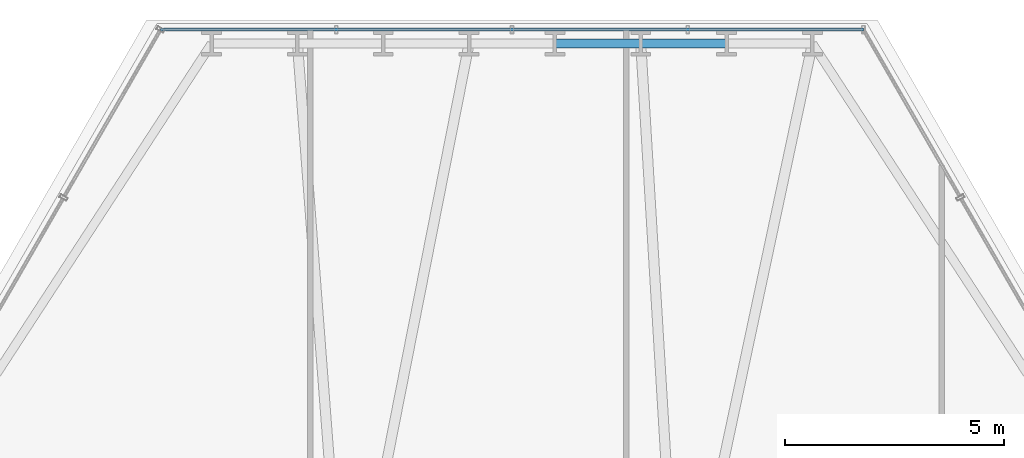
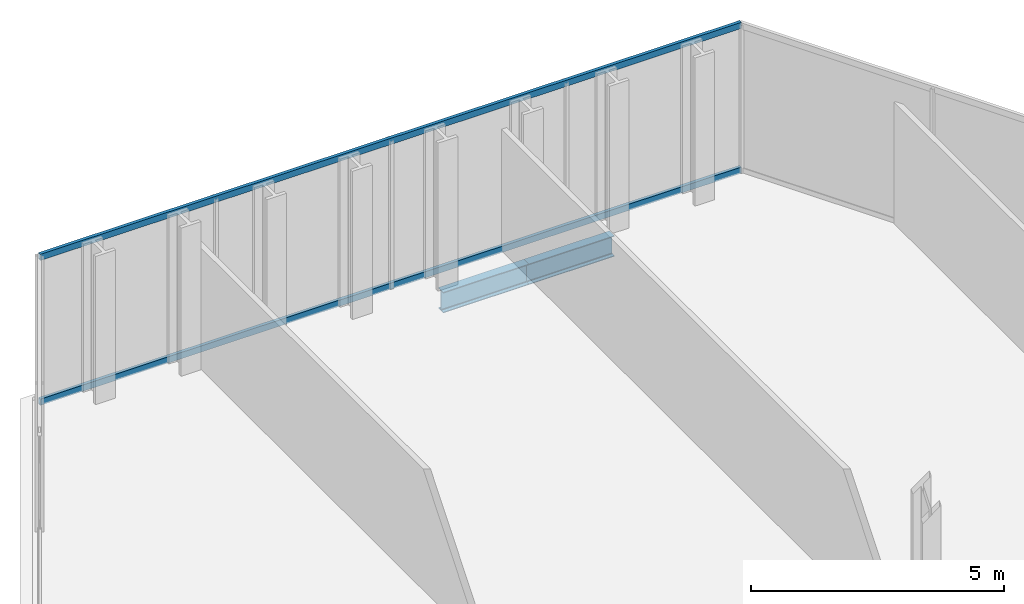
# One storey, part 23 of 32: 2 beams, 2 members, 1 element without a shape of its own.
"""IFC4 building model written with IfcOpenShell, lengths in metres."""

from ifc_helpers import new_model, si_unit, direction, frame, origin, origin_2d, place, context, subcontext, project, spatial, hollow_rectangle, i_section, extrude, material, layer, layer_set, material_profile, profile_set, type_object, element, aggregate, save


model = new_model("IFC4")

# Units and contexts
model_context = context("Model", 3, precision=1e-05, world=origin(), true_north=direction((0.0, 1.0)))
body_context = subcontext(model_context, "Body", "Model", "MODEL_VIEW")
ifc_project = project(units=[si_unit("LENGTHUNIT", "METRE"), si_unit("AREAUNIT", "SQUARE_METRE"), si_unit("VOLUMEUNIT", "CUBIC_METRE"), si_unit("PLANEANGLEUNIT", "RADIAN"), si_unit("MASSUNIT", "GRAM", prefix="KILO")], contexts=[model_context])

# Site, building, storey
site_placement = place(None, origin())
site = spatial("IfcSite", under=ifc_project, at=site_placement, CompositionType="ELEMENT")
building_placement = place(site_placement, origin())
building = spatial("IfcBuilding", under=site, at=building_placement, Name="Ndaravel Arena Tower", CompositionType="ELEMENT")
storey_placement = place(building_placement, frame((0.0, 0.0, 47.39990234375)))
storey = spatial("IfcBuildingStorey", under=building, at=storey_placement, Name="L09", CompositionType="ELEMENT", Elevation=47.39990234375)

# Beams
ifc_material_1 = material(Name="Steel S355", Category="steel")
ifc_material_profile_1 = material_profile(ifc_material_1, i_section(OverallWidth=0.199951171875, OverallDepth=0.5, WebThickness=0.01025390625, FlangeThickness=0.01611328125, FilletRadius=0.02099609375, at=origin_2d()), Name="IPE 500")
ifc_profile_set_1 = profile_set([ifc_material_profile_1], Name="Steel S355")
beam_type = type_object("IfcBeamType", Name="BM-SPAN-IPE500", PredefinedType="SPANDREL", material=ifc_profile_set_1)
beam_1_placement = place(storey_placement, frame((46.892822265625, 45.531494140625, -0.469970703125), z_axis=(-1.0, 0.0, 0.0), x_axis=(0.0, -1.0, 0.0)))
element("IfcBeam", 1, at=beam_1_placement, inside=storey, type_object=beam_type, Name="L09 Perimeter Spandrel Beam SP-12", PredefinedType="SPANDREL", context=body_context, shape_type="SweptSolid", body=[
    extrude(i_section(OverallWidth=0.199951171875, OverallDepth=0.5, WebThickness=0.01025390625, FlangeThickness=0.01611328125, FilletRadius=0.02099609375, at=origin_2d()), origin(), (0.0, 0.0, 1.0), 1.95703125),
])
beam_2_placement = place(storey_placement, frame((44.935791015625, 45.531494140625, -0.469970703125), z_axis=(-1.0, 0.0, 0.0), x_axis=(0.0, -1.0, 0.0)))
element("IfcBeam", 2, at=beam_2_placement, inside=storey, type_object=beam_type, Name="L09 Perimeter Spandrel Beam SP-13", PredefinedType="SPANDREL", context=body_context, shape_type="SweptSolid", body=[
    extrude(i_section(OverallWidth=0.199951171875, OverallDepth=0.5, WebThickness=0.01025390625, FlangeThickness=0.01611328125, FilletRadius=0.02099609375, at=origin_2d()), origin(), (0.0, 0.0, 1.0), 1.957275390625),
])

# Curtain wall, members
ifc_material_2 = material(Name="Aluminium", Category="aluminium")
ifc_layer = layer(ifc_material_2, 0.179931640625)
ifc_layer_set = layer_set([ifc_layer], Name="Aluminium")
curtain_wall_type = type_object("IfcCurtainWallType", Name="CW-SYS-01", PredefinedType="NOTDEFINED", material=ifc_layer_set)
curtain_wall_placement = place(storey_placement, origin())
curtain_wall = element("IfcCurtainWall", 3, at=curtain_wall_placement, inside=storey, type_object=curtain_wall_type, Name="L09 Faceted Crystal Curtain Wall CW-L09-E04", PredefinedType="NOTDEFINED")
ifc_material_3 = material(Name="Aluminium", Category="aluminium")
ifc_material_profile_2 = material_profile(ifc_material_3, hollow_rectangle(XDim=0.074951171875, YDim=0.14990234375, WallThickness=0.00390625, at=origin_2d()), Name="CW TRANSOM 75x150x4")
ifc_profile_set_2 = profile_set([ifc_material_profile_2], Name="Aluminium")
member_type = type_object("IfcMemberType", Name="MEM-CW-TRN150", PredefinedType="USERDEFINED", material=ifc_profile_set_2)
member_1_placement = place(storey_placement, frame((50.01318359375, 45.851318359375, 0.0400390625), z_axis=(-1.0, 0.0, 0.0), x_axis=(0.0, -1.0, 0.0)))
member_1 = element("IfcMember", 4, at=member_1_placement, type_object=member_type, Name="CW-L09-E04 Transom 01", ObjectType="TRANSOM", PredefinedType="USERDEFINED", context=body_context, shape_type="SweptSolid", body=[
    extrude(hollow_rectangle(XDim=0.074951171875, YDim=0.14990234375, WallThickness=0.00390625, at=origin_2d()), origin(), (0.0, 0.0, 1.0), 16.0263671875),
])
member_2_placement = place(storey_placement, frame((50.01318359375, 45.851318359375, 3.5400390625), z_axis=(-1.0, 0.0, 0.0), x_axis=(0.0, -1.0, 0.0)))
member_2 = element("IfcMember", 5, at=member_2_placement, type_object=member_type, Name="CW-L09-E04 Transom 02", ObjectType="TRANSOM", PredefinedType="USERDEFINED", context=body_context, shape_type="SweptSolid", body=[
    extrude(hollow_rectangle(XDim=0.074951171875, YDim=0.14990234375, WallThickness=0.00390625, at=origin_2d()), origin(), (0.0, 0.0, 1.0), 16.0263671875),
])
aggregate(curtain_wall, [member_1, member_2])

save(model, "model.ifc")
